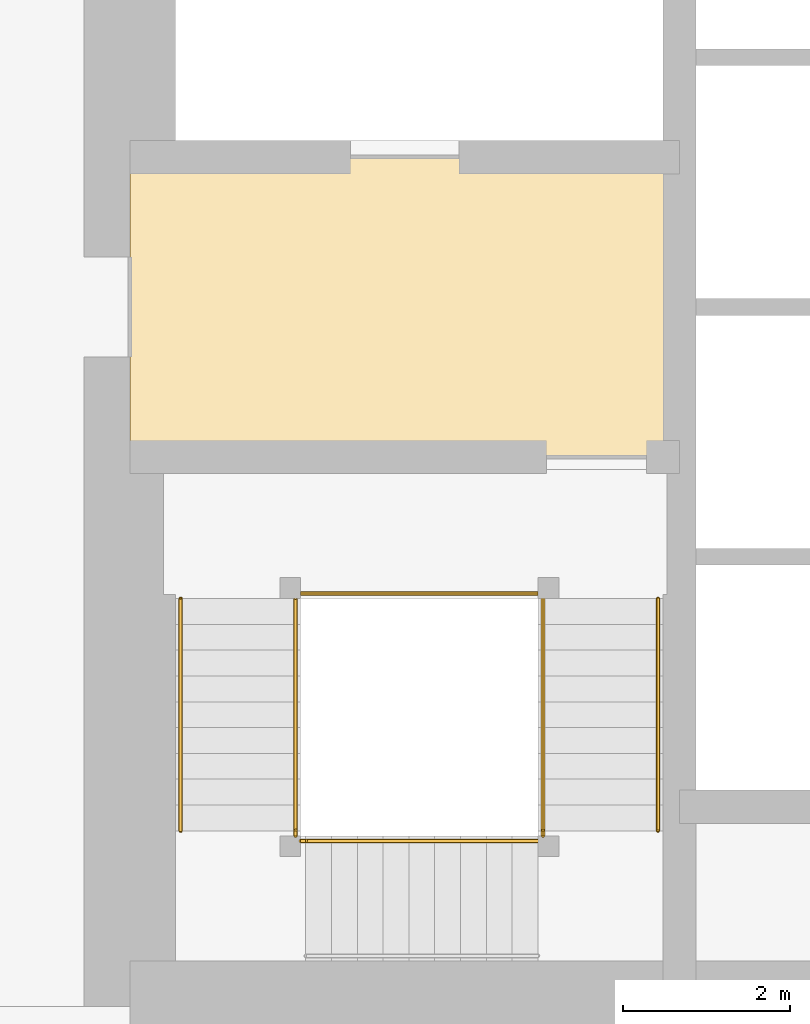
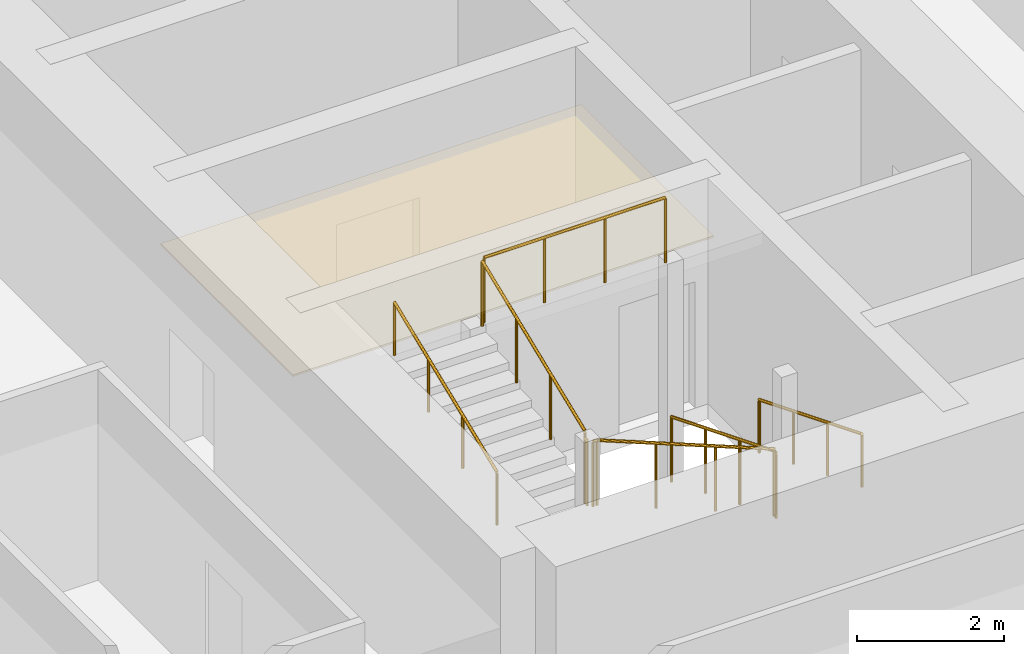
# One storey, part 26 of 32: 9 railings, 1 covering.
"""IFC4 building model written with IfcOpenShell, lengths in metres."""

from ifc_helpers import new_model, si_unit, direction, frame, origin, origin_2d, place, context, subcontext, project, spatial, polyline, circle, outline, extrude, material, layer, layer_set, type_object, element, save


model = new_model("IFC4")

# Units and contexts
model_context = context("Model", 3, precision=1e-05, world=origin(), true_north=direction((0.0, 1.0)))
body_context = subcontext(model_context, "Body", "Model", "MODEL_VIEW")
ifc_project = project(units=[si_unit("LENGTHUNIT", "METRE"), si_unit("AREAUNIT", "SQUARE_METRE"), si_unit("VOLUMEUNIT", "CUBIC_METRE"), si_unit("PLANEANGLEUNIT", "RADIAN"), si_unit("MASSUNIT", "GRAM", prefix="KILO")], contexts=[model_context])

# Site, building, storey
site_placement = place(None, origin())
site = spatial("IfcSite", under=ifc_project, at=site_placement, CompositionType="ELEMENT")
building_placement = place(site_placement, origin())
building = spatial("IfcBuilding", under=site, at=building_placement, Name="Rekha Terrace Tower", CompositionType="ELEMENT")
storey_placement = place(building_placement, frame((0.0, 0.0, 250.10009765625)))
storey = spatial("IfcBuildingStorey", under=building, at=storey_placement, Name="L63", CompositionType="ELEMENT", Elevation=250.10009765625)

# Covering
ifc_material_1 = material(Name="Powder-coated aluminium pan", Category="aluminium")
ifc_layer = layer(ifc_material_1, 0.030029296875)
ifc_layer_set = layer_set([ifc_layer], Name="Powder-coated aluminium pan")
covering_type = type_object("IfcCoveringType", Name="CL3 300x1200 metal pan ceiling", PredefinedType="CEILING", material=ifc_layer_set)
covering_placement = place(storey_placement, frame((0.0, 0.0, 2.56982421875)))
element("IfcCovering", 1, at=covering_placement, inside=storey, type_object=covering_type, Name="Ceiling L63-FLB1", PredefinedType="CEILING", context=body_context, shape_type="SweptSolid", body=[
    extrude(outline(polyline([(31.800048828125, 31.199951171875), (25.199951171875, 31.199951171875), (25.199951171875, 27.60009765625), (31.800048828125, 27.60009765625), (31.800048828125, 31.199951171875)])), origin(), (0.0, 0.0, 1.0), 0.030029296875),
])

# Railings
ifc_material_2 = material(Name="Stainless steel balustrade", Category="steel")
railing_type_1 = type_object("IfcRailingType", Name="GR1 1100 stair guard", PredefinedType="GUARDRAIL", material=ifc_material_2)
railing_1_placement = place(storey_placement, frame((30.159912109375, 25.89990234375, 0.125)))
element("IfcRailing", 2, at=railing_1_placement, inside=storey, type_object=railing_type_1, Name="Guard ST1 L63 flight 1", PredefinedType="GUARDRAIL", context=body_context, shape_type="SweptSolid", body=[
    extrude(circle(Radius=0.02392578125, at=origin_2d()), frame((0.0, 0.0, 1.076171875), z_axis=(0.0, -0.927431937212, 0.373991980981), x_axis=(1.0, 0.0, 0.0)), (0.0, 0.0, 1.0), 3.008056640625),
    extrude(circle(Radius=0.02099609375, at=origin_2d()), origin(), (0.0, 0.0, 1.0), 1.052001953125),
    extrude(circle(Radius=0.02099609375, at=origin_2d()), frame((0.0, -0.929931640625, 0.375)), (0.0, 0.0, 1.0), 1.052001953125),
    extrude(circle(Radius=0.02099609375, at=origin_2d()), frame((0.0, -1.85986328125, 0.75)), (0.0, 0.0, 1.0), 1.052001953125),
    extrude(circle(Radius=0.02099609375, at=origin_2d()), frame((0.0, -2.789794921875, 1.125)), (0.0, 0.0, 1.0), 1.052001953125),
])
railing_2_placement = place(storey_placement, frame((30.10009765625, 22.989990234375, 1.375)))
element("IfcRailing", 3, at=railing_2_placement, inside=storey, type_object=railing_type_1, Name="Guard ST1 L63 flight 2", PredefinedType="GUARDRAIL", context=body_context, shape_type="SweptSolid", body=[
    extrude(circle(Radius=0.02392578125, at=origin_2d()), frame((0.0, 0.0, 1.076171875), z_axis=(-0.927443287984, 0.0, 0.373963831907), x_axis=(0.0, -1.0, 0.0)), (0.0, 0.0, 1.0), 3.00830078125),
    extrude(circle(Radius=0.02099609375, at=origin_2d()), origin(), (0.0, 0.0, 1.0), 1.052001953125),
    extrude(circle(Radius=0.02099609375, at=origin_2d()), frame((-0.929931640625, 0.0, 0.375)), (0.0, 0.0, 1.0), 1.052001953125),
    extrude(circle(Radius=0.02099609375, at=origin_2d()), frame((-1.860107421875, 0.0, 0.75)), (0.0, 0.0, 1.0), 1.052001953125),
    extrude(circle(Radius=0.02099609375, at=origin_2d()), frame((-2.7900390625, 0.0, 1.125)), (0.0, 0.0, 1.0), 1.052001953125),
])
railing_3_placement = place(storey_placement, frame((27.18994140625, 23.110107421875, 2.625)))
element("IfcRailing", 4, at=railing_3_placement, inside=storey, type_object=railing_type_1, Name="Guard ST1 L63 flight 3", PredefinedType="GUARDRAIL", context=body_context, shape_type="SweptSolid", body=[
    extrude(circle(Radius=0.02392578125, at=origin_2d()), frame((0.0, 0.0, 1.076171875), z_axis=(0.0, 0.927431937212, 0.373991980981), x_axis=(-1.0, 0.0, 0.0)), (0.0, 0.0, 1.0), 3.008056640625),
    extrude(circle(Radius=0.02099609375, at=origin_2d()), origin(), (0.0, 0.0, 1.0), 1.052001953125),
    extrude(circle(Radius=0.02099609375, at=origin_2d()), frame((0.0, 0.929931640625, 0.375)), (0.0, 0.0, 1.0), 1.052001953125),
    extrude(circle(Radius=0.02099609375, at=origin_2d()), frame((0.0, 1.85986328125, 0.75)), (0.0, 0.0, 1.0), 1.052001953125),
    extrude(circle(Radius=0.02099609375, at=origin_2d()), frame((0.0, 2.789794921875, 1.125)), (0.0, 0.0, 1.0), 1.052001953125),
])
railing_4_placement = place(storey_placement, frame((30.159912109375, 23.110107421875, 1.25)))
element("IfcRailing", 5, at=railing_4_placement, inside=storey, type_object=railing_type_1, Name="Guard ST1 L63 landing 1", PredefinedType="GUARDRAIL", context=body_context, shape_type="SweptSolid", body=[
    extrude(circle(Radius=0.02392578125, at=origin_2d()), frame((0.0, 0.0, 1.076171875), z_axis=(0.0, -1.0, 0.0), x_axis=(1.0, 0.0, 0.0)), (0.0, 0.0, 1.0), 0.06005859375),
    extrude(circle(Radius=0.02099609375, at=origin_2d()), origin(), (0.0, 0.0, 1.0), 1.052001953125),
    extrude(circle(Radius=0.02099609375, at=origin_2d()), frame((0.0, -0.06005859375, 0.0)), (0.0, 0.0, 1.0), 1.052001953125),
])
railing_5_placement = place(storey_placement, frame((27.31005859375, 22.989990234375, 2.5)))
element("IfcRailing", 6, at=railing_5_placement, inside=storey, type_object=railing_type_1, Name="Guard ST1 L63 landing 2", PredefinedType="GUARDRAIL", context=body_context, shape_type="SweptSolid", body=[
    extrude(circle(Radius=0.02392578125, at=origin_2d()), frame((0.0, 0.0, 1.076171875), z_axis=(-1.0, 0.0, 0.0), x_axis=(0.0, -1.0, 0.0)), (0.0, 0.0, 1.0), 0.06005859375),
    extrude(circle(Radius=0.02099609375, at=origin_2d()), origin(), (0.0, 0.0, 1.0), 1.052001953125),
    extrude(circle(Radius=0.02099609375, at=origin_2d()), frame((-0.06005859375, 0.0, 0.0)), (0.0, 0.0, 1.0), 1.052001953125),
])
railing_6_placement = place(storey_placement, frame((27.18994140625, 23.110107421875, 2.5)))
element("IfcRailing", 7, at=railing_6_placement, inside=storey, type_object=railing_type_1, Name="Guard ST1 L63 landing 3", PredefinedType="GUARDRAIL", context=body_context, shape_type="SweptSolid", body=[
    extrude(circle(Radius=0.02392578125, at=origin_2d()), frame((0.0, 0.0, 1.076171875), z_axis=(0.0, -1.0, 0.0), x_axis=(1.0, 0.0, 0.0)), (0.0, 0.0, 1.0), 0.06005859375),
    extrude(circle(Radius=0.02099609375, at=origin_2d()), origin(), (0.0, 0.0, 1.0), 1.052001953125),
    extrude(circle(Radius=0.02099609375, at=origin_2d()), frame((0.0, -0.06005859375, 0.0)), (0.0, 0.0, 1.0), 1.052001953125),
])
railing_7_placement = place(storey_placement, frame((30.10009765625, 25.9599609375, 3.75)))
element("IfcRailing", 8, at=railing_7_placement, inside=storey, type_object=railing_type_1, Name="Guard ST1 L63 landing 4", PredefinedType="GUARDRAIL", context=body_context, shape_type="SweptSolid", body=[
    extrude(circle(Radius=0.02392578125, at=origin_2d()), frame((0.0, 0.0, 1.076171875), z_axis=(-1.0, 0.0, 0.0), x_axis=(0.0, -1.0, 0.0)), (0.0, 0.0, 1.0), 2.85009765625),
    extrude(circle(Radius=0.02099609375, at=origin_2d()), origin(), (0.0, 0.0, 1.0), 1.052001953125),
    extrude(circle(Radius=0.02099609375, at=origin_2d()), frame((-0.949951171875, 0.0, 0.0)), (0.0, 0.0, 1.0), 1.052001953125),
    extrude(circle(Radius=0.02099609375, at=origin_2d()), frame((-1.900146484375, 0.0, 0.0)), (0.0, 0.0, 1.0), 1.052001953125),
    extrude(circle(Radius=0.02099609375, at=origin_2d()), frame((-2.85009765625, 0.0, 0.0)), (0.0, 0.0, 1.0), 1.052001953125),
])
ifc_material_3 = material(Name="Stainless steel tube", Category="steel")
railing_type_2 = type_object("IfcRailingType", Name="HR1 900 stair handrail", PredefinedType="HANDRAIL", material=ifc_material_3)
railing_8_placement = place(storey_placement, frame((31.5400390625, 25.89990234375, 0.125)))
element("IfcRailing", 9, at=railing_8_placement, inside=storey, type_object=railing_type_2, Name="Handrail ST1 L63 flight 1", PredefinedType="HANDRAIL", context=body_context, shape_type="SweptSolid", body=[
    extrude(circle(Radius=0.02392578125, at=origin_2d()), frame((0.0, 0.0, 0.8759765625), z_axis=(0.0, -0.927431937212, 0.373991980981), x_axis=(1.0, 0.0, 0.0)), (0.0, 0.0, 1.0), 3.008056640625),
    extrude(circle(Radius=0.02099609375, at=origin_2d()), origin(), (0.0, 0.0, 1.0), 0.851806640625),
    extrude(circle(Radius=0.02099609375, at=origin_2d()), frame((0.0, -0.929931640625, 0.375)), (0.0, 0.0, 1.0), 0.851806640625),
    extrude(circle(Radius=0.02099609375, at=origin_2d()), frame((0.0, -1.85986328125, 0.75)), (0.0, 0.0, 1.0), 0.851806640625),
    extrude(circle(Radius=0.02099609375, at=origin_2d()), frame((0.0, -2.789794921875, 1.125)), (0.0, 0.0, 1.0), 0.851806640625),
])
railing_9_placement = place(storey_placement, frame((25.81005859375, 23.110107421875, 2.625)))
element("IfcRailing", 10, at=railing_9_placement, inside=storey, type_object=railing_type_2, Name="Handrail ST1 L63 flight 3", PredefinedType="HANDRAIL", context=body_context, shape_type="SweptSolid", body=[
    extrude(circle(Radius=0.02392578125, at=origin_2d()), frame((0.0, 0.0, 0.8759765625), z_axis=(0.0, 0.927431937212, 0.373991980981), x_axis=(-1.0, 0.0, 0.0)), (0.0, 0.0, 1.0), 3.008056640625),
    extrude(circle(Radius=0.02099609375, at=origin_2d()), origin(), (0.0, 0.0, 1.0), 0.851806640625),
    extrude(circle(Radius=0.02099609375, at=origin_2d()), frame((0.0, 0.929931640625, 0.375)), (0.0, 0.0, 1.0), 0.851806640625),
    extrude(circle(Radius=0.02099609375, at=origin_2d()), frame((0.0, 1.85986328125, 0.75)), (0.0, 0.0, 1.0), 0.851806640625),
    extrude(circle(Radius=0.02099609375, at=origin_2d()), frame((0.0, 2.789794921875, 1.125)), (0.0, 0.0, 1.0), 0.851806640625),
])

save(model, "model.ifc")
